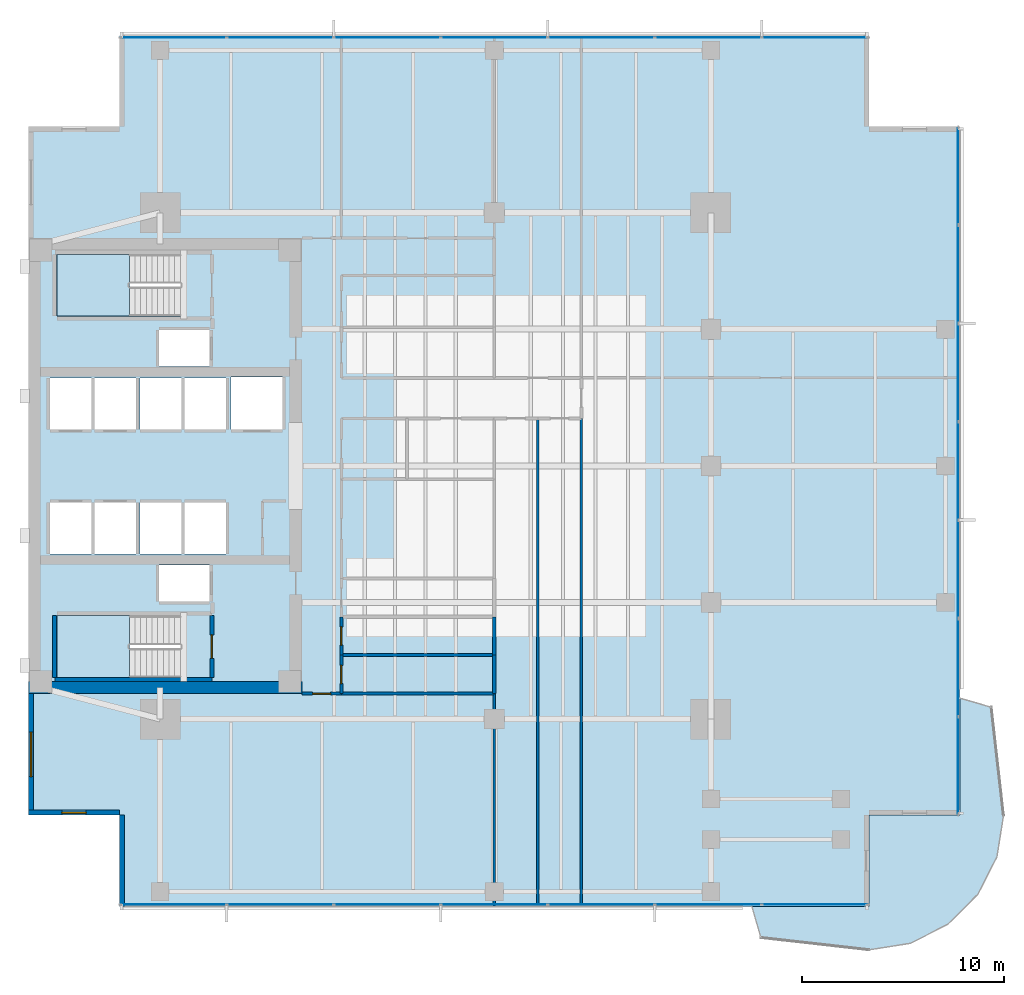
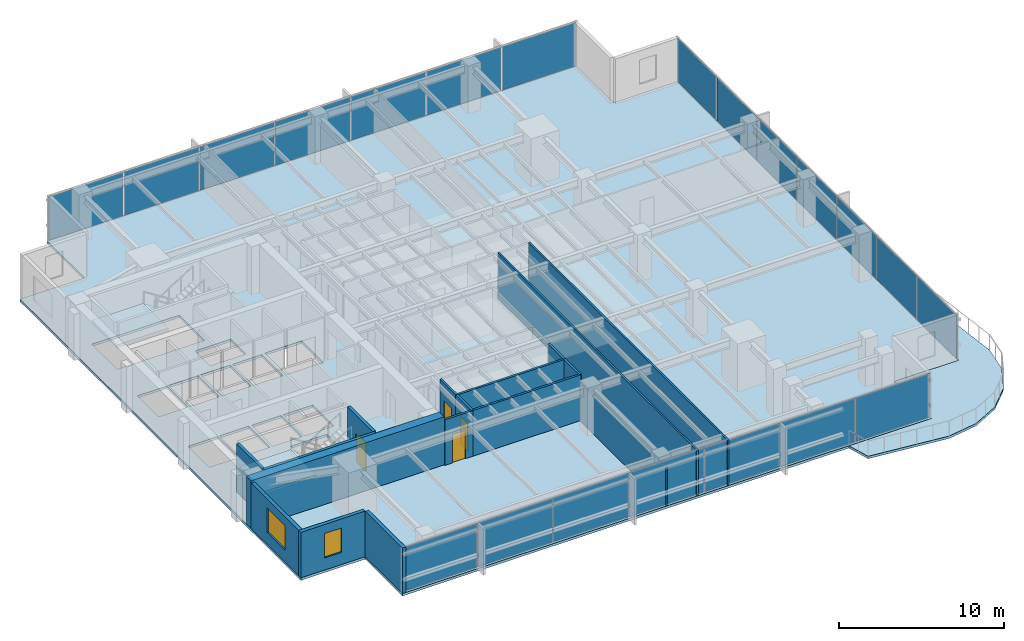
# One storey, part 7 of 14: 21 plates, 17 walls, 4 doors, 4 slabs, 2 windows, 6 openings, 5 elements without a shape of their own.
"""IFC4 building model written with IfcOpenShell, lengths in metres."""

import ifcopenshell
import ifcopenshell.guid

model = None  # the IFC model being written
_history = None  # IfcOwnerHistory: only IFC2X3 demands one
_inside = {}  # id of a spatial element -> (the spatial element, [elements in it])
_under = {}  # id of a project, library or spatial element -> (it, [spatial elements below it])
_declared = {}  # id of a project -> (the project, [libraries it declares])
_typed = {}  # id of a type object -> (the type object, [elements of that type])
_made_of = {}  # id of a material, layer set ... -> (it, [elements and type objects made of it])


def new_model(schema):
    """Start an empty IFC model of exactly this schema.

    Asked for "IFC4X3", IfcOpenShell would pick the latest addendum, in which some entities
    have other attributes; the version numbers below select the first issue.
    IFC2X3 requires an IfcOwnerHistory on every rooted entity: one is made here for all.
    """
    global model, _history
    if schema == "IFC4X3":
        model = ifcopenshell.file(schema_version=(4, 3, 0, 0))
    else:
        model = ifcopenshell.file(schema=schema)
    _inside.clear()
    _under.clear()
    _declared.clear()
    _typed.clear()
    _made_of.clear()
    _history = None
    if model.schema == "IFC2X3":
        org = make("IfcOrganization", Name="unknown")
        user = make(
            "IfcPersonAndOrganization",
            ThePerson=make("IfcPerson", FamilyName="unknown"),
            TheOrganization=org,
        )
        app = make(
            "IfcApplication",
            ApplicationDeveloper=org,
            Version="unknown",
            ApplicationFullName="unknown",
            ApplicationIdentifier="unknown",
        )
        _history = make(
            "IfcOwnerHistory",
            OwningUser=user,
            OwningApplication=app,
            ChangeAction="ADDED",
            CreationDate=0,
        )
    return model


def make(cls, **values):
    """One entity of the class cls with the attributes given. An attribute that is None is left unset."""
    return model.create_entity(
        cls, **{name: value for name, value in values.items() if value is not None}
    )


def rooted(cls, **values):
    """An entity with a GlobalId (a new one), such as an element, a storey or a relation."""
    return make(cls, GlobalId=ifcopenshell.guid.new(), OwnerHistory=_history, **values)


def si_unit(unit_type, name, prefix=None):
    """IfcSIUnit, for example si_unit("LENGTHUNIT", "METRE", prefix="MILLI")."""
    return make("IfcSIUnit", UnitType=unit_type, Prefix=prefix, Name=name)


def assignment(units):
    """IfcUnitAssignment: the units of a project."""
    return None if units is None else make("IfcUnitAssignment", Units=units)


def point(xyz):
    """IfcCartesianPoint."""
    return None if xyz is None else make("IfcCartesianPoint", Coordinates=xyz)


def direction(xyz):
    """IfcDirection."""
    return None if xyz is None else make("IfcDirection", DirectionRatios=xyz)


def frame(location, z_axis=None, x_axis=None):
    """IfcAxis2Placement3D, a coordinate frame: its origin and axes. An axis left out is left unset."""
    return make(
        "IfcAxis2Placement3D",
        Location=point(location),
        Axis=direction(z_axis),
        RefDirection=direction(x_axis),
    )


def frame_2d(location, x_axis=None):
    """IfcAxis2Placement2D, a coordinate frame in the plane: its origin and x axis."""
    return make(
        "IfcAxis2Placement2D", Location=point(location), RefDirection=direction(x_axis)
    )


def origin():
    """The frame at (0, 0, 0) with its axes left unset."""
    return frame((0.0, 0.0, 0.0))


def origin_2d():
    """The frame at (0, 0) in the plane with its x axis left unset."""
    return frame_2d((0.0, 0.0))


def place(relative_to, where):
    """IfcLocalPlacement: puts the frame where relative to a parent placement (None: the world)."""
    return make(
        "IfcLocalPlacement", PlacementRelTo=relative_to, RelativePlacement=where
    )


def context(
    kind, dimensions, precision=None, world=None, true_north=None, identifier=None
):
    """IfcGeometricRepresentationContext, for example the 3D "Model" context."""
    return make(
        "IfcGeometricRepresentationContext",
        ContextIdentifier=identifier,
        ContextType=kind,
        CoordinateSpaceDimension=dimensions,
        Precision=precision,
        WorldCoordinateSystem=world,
        TrueNorth=true_north,
    )


def subcontext(parent, identifier, kind, view, scale=None):
    """IfcGeometricRepresentationSubContext, for example "Body" below "Model"."""
    return make(
        "IfcGeometricRepresentationSubContext",
        ContextIdentifier=identifier,
        ContextType=kind,
        ParentContext=parent,
        TargetScale=scale,
        TargetView=view,
    )


def project(units=None, contexts=None):
    """IfcProject with its units and contexts."""
    return rooted(
        "IfcProject",
        Name="project",
        RepresentationContexts=contexts,
        UnitsInContext=assignment(units),
    )


def spatial(cls, under=None, at=None, **own):
    """A site, building, storey or space (cls), placed at a placement, below another one or the project."""
    s = rooted(cls, ObjectPlacement=at, **own)
    if under is not None:
        _under.setdefault(under.id(), (under, []))[1].append(s)
    return s


def polyline(points):
    """IfcPolyline through the points."""
    return make("IfcPolyline", Points=[point(p) for p in points])


def profile(cls, at=None, kind="AREA", **sizes):
    """A parametric profile (cls). Its sizes go by their IFC names, for example OverallWidth=200.0."""
    return make(cls, ProfileType=kind, Position=at, **sizes)


def rectangle(**sizes):
    """IfcRectangleProfileDef."""
    return profile("IfcRectangleProfileDef", **sizes)


def outline(outer, holes=None, kind="AREA"):
    """IfcArbitraryClosedProfileDef: a profile drawn as a closed curve; with holes, ...WithVoids."""
    if holes is None:
        return make("IfcArbitraryClosedProfileDef", ProfileType=kind, OuterCurve=outer)
    return make(
        "IfcArbitraryProfileDefWithVoids",
        ProfileType=kind,
        OuterCurve=outer,
        InnerCurves=holes,
    )


def extrude(swept, where, along, depth):
    """IfcExtrudedAreaSolid: the profile swept, set in the frame where, extruded along a direction by depth."""
    return make(
        "IfcExtrudedAreaSolid",
        SweptArea=swept,
        Position=where,
        ExtrudedDirection=direction(along),
        Depth=depth,
    )


def shape(context_of_items, identifier, shape_type, items):
    """IfcShapeRepresentation: the items that make up one representation, for example the "Body"."""
    return make(
        "IfcShapeRepresentation",
        ContextOfItems=context_of_items,
        RepresentationIdentifier=identifier,
        RepresentationType=shape_type,
        Items=items,
    )


def material(Name=None, Category=None):
    """IfcMaterial."""
    return make("IfcMaterial", Name=Name, Category=Category)


def layer(
    of_material, thickness, ventilated=None, Name=None, Category=None, Priority=None
):
    """IfcMaterialLayer: one layer of a wall or slab, of a material (None: an air gap)."""
    return make(
        "IfcMaterialLayer",
        Material=of_material,
        LayerThickness=thickness,
        IsVentilated=ventilated,
        Name=Name,
        Category=Category,
        Priority=Priority,
    )


def layer_set(layers, Name=None):
    """IfcMaterialLayerSet."""
    return make("IfcMaterialLayerSet", MaterialLayers=layers, LayerSetName=Name)


def made_of(thing, what):
    """Note that an element or type object is made of a material, layer set ...; save() writes the relation."""
    if what is not None:
        _made_of.setdefault(what.id(), (what, []))[1].append(thing)
    return thing


def type_object(cls, material=None, **own):
    """A type object (cls), such as IfcWallType, which elements share."""
    return made_of(rooted(cls, **own), material)


def element(
    cls,
    number,
    at=None,
    inside=None,
    cuts=None,
    type_object=None,
    material=None,
    context=None,
    identifier="Body",
    shape_type=None,
    held_by="IfcProductDefinitionShape",
    body=None,
    shapes=None,
    **own,
):
    """One element of the class cls, such as IfcWall. Its Tag is "e" and its number.

    at: its placement. inside: the storey or other place that contains it. cuts: it is an
    opening in that element (IfcRelVoidsElement). A single representation is given by context,
    identifier, shape_type and body (its items); several are given by shapes. held_by: the class
    of the entity that holds the representations. save() writes the other relations.
    """
    e = rooted(cls, Tag="e%d" % number, ObjectPlacement=at, **own)
    if body is not None:
        shapes = [shape(context, identifier, shape_type, body)]
    if shapes is not None:
        e.Representation = make(held_by, Representations=shapes)
    if inside is not None:
        _inside.setdefault(inside.id(), (inside, []))[1].append(e)
    if cuts is not None:
        rooted(
            "IfcRelVoidsElement", RelatingBuildingElement=cuts, RelatedOpeningElement=e
        )
    if type_object is not None:
        _typed.setdefault(type_object.id(), (type_object, []))[1].append(e)
    return made_of(e, material)


def fill(opening, filler):
    """IfcRelFillsElement: the door or window that sits in an opening."""
    return rooted(
        "IfcRelFillsElement",
        RelatingOpeningElement=opening,
        RelatedBuildingElement=filler,
    )


def aggregate(whole, parts):
    """IfcRelAggregates: a whole, such as a stair, and the parts it consists of."""
    return rooted("IfcRelAggregates", RelatingObject=whole, RelatedObjects=parts)


def save(model, path):
    """Write the relations noted so far, then the file.

    IfcRelAggregates (storeys below a building ...), IfcRelContainedInSpatialStructure (elements
    in a storey), IfcRelDefinesByType, IfcRelAssociatesMaterial and IfcRelDeclares: one each for
    every whole, place, type object, material and project.
    """
    for whole, parts in _under.values():
        aggregate(whole, parts)
    for where, things in _inside.values():
        rooted(
            "IfcRelContainedInSpatialStructure",
            RelatedElements=things,
            RelatingStructure=where,
        )
    for kind, things in _typed.values():
        rooted("IfcRelDefinesByType", RelatedObjects=things, RelatingType=kind)
    for what, things in _made_of.values():
        rooted("IfcRelAssociatesMaterial", RelatedObjects=things, RelatingMaterial=what)
    for by, libraries in _declared.values():
        rooted("IfcRelDeclares", RelatingContext=by, RelatedDefinitions=libraries)
    model.write(path)


model = new_model("IFC4")

# Units and contexts
model_context = context("Model", 3, precision=1e-05, world=origin(), true_north=direction((0.0, 1.0)))
body_context = subcontext(model_context, "Body", "Model", "MODEL_VIEW")
ifc_project = project(units=[si_unit("LENGTHUNIT", "METRE"), si_unit("AREAUNIT", "SQUARE_METRE"), si_unit("VOLUMEUNIT", "CUBIC_METRE"), si_unit("PLANEANGLEUNIT", "RADIAN"), si_unit("MASSUNIT", "GRAM", prefix="KILO")], contexts=[model_context])

# Site, building, storey
site_placement = place(None, origin())
site = spatial("IfcSite", under=ifc_project, at=site_placement, CompositionType="ELEMENT")
building_placement = place(site_placement, origin())
building = spatial("IfcBuilding", under=site, at=building_placement, Name="Kinhvarn Gate Tower", CompositionType="ELEMENT")
storey_placement = place(building_placement, frame((0.0, 0.0, 162.60009765625)))
storey = spatial("IfcBuildingStorey", under=building, at=storey_placement, Name="L43", CompositionType="ELEMENT", Elevation=162.60009765625)

# Curtain wall, plates
ifc_material_1 = material(Name="Anodised aluminium AW-6063", Category="aluminium")
ifc_layer_1 = layer(ifc_material_1, 0.179931640625)
ifc_layer_set_1 = layer_set([ifc_layer_1], Name="Anodised aluminium AW-6063")
curtain_wall_type = type_object("IfcCurtainWallType", Name="CW-SYS-3", PredefinedType="NOTDEFINED", material=ifc_layer_set_1)
curtain_wall_1_placement = place(storey_placement, origin())
curtain_wall_1 = element("IfcCurtainWall", 1, at=curtain_wall_1_placement, inside=storey, type_object=curtain_wall_type, Name="Curtain Wall CW3 (L43)", PredefinedType="NOTDEFINED")
ifc_material_2 = material(Name="Clear low-e double glazing", Category="glass")
ifc_layer_2 = layer(ifc_material_2, 0.031982421875)
ifc_layer_set_2 = layer_set([ifc_layer_2], Name="Clear low-e double glazing")
plate_type = type_object("IfcPlateType", Name="CW-PNL-VIS", PredefinedType="CURTAIN_PANEL", material=ifc_layer_set_2)
plate_1_placement = place(storey_placement, frame((11.6591796875, 3.590087890625, 0.06982421875), z_axis=(0.0, 0.0, 1.0), x_axis=(1.0, 0.0, 0.0)))
plate_1 = element("IfcPlate", 2, at=plate_1_placement, type_object=plate_type, Name="CW3 panel 1.1", PredefinedType="CURTAIN_PANEL", context=body_context, shape_type="SweptSolid", body=[
    extrude(rectangle(XDim=5.188232421875, YDim=0.031982421875, at=origin_2d()), origin(), (0.0, 0.0, 1.0), 3.22998046875),
])
plate_2_placement = place(storey_placement, frame((16.928466796875, 3.590087890625, 0.06982421875), z_axis=(0.0, 0.0, 1.0), x_axis=(1.0, 0.0, 0.0)))
plate_2 = element("IfcPlate", 3, at=plate_2_placement, type_object=plate_type, Name="CW3 panel 2.1", PredefinedType="CURTAIN_PANEL", context=body_context, shape_type="SweptSolid", body=[
    extrude(rectangle(XDim=5.220703125, YDim=0.031982421875, at=origin_2d()), origin(), (0.0, 0.0, 1.0), 3.22998046875),
])
plate_3_placement = place(storey_placement, frame((22.21435546875, 3.590087890625, 0.06982421875), z_axis=(0.0, 0.0, 1.0), x_axis=(1.0, 0.0, 0.0)))
plate_3 = element("IfcPlate", 4, at=plate_3_placement, type_object=plate_type, Name="CW3 panel 3.1", PredefinedType="CURTAIN_PANEL", context=body_context, shape_type="SweptSolid", body=[
    extrude(rectangle(XDim=5.220703125, YDim=0.031982421875, at=origin_2d()), origin(), (0.0, 0.0, 1.0), 3.22998046875),
])
plate_4_placement = place(storey_placement, frame((27.5, 3.590087890625, 0.06982421875), z_axis=(0.0, 0.0, 1.0), x_axis=(1.0, 0.0, 0.0)))
plate_4 = element("IfcPlate", 5, at=plate_4_placement, type_object=plate_type, Name="CW3 panel 4.1", PredefinedType="CURTAIN_PANEL", context=body_context, shape_type="SweptSolid", body=[
    extrude(rectangle(XDim=5.220703125, YDim=0.031982421875, at=origin_2d()), origin(), (0.0, 0.0, 1.0), 3.22998046875),
])
plate_5_placement = place(storey_placement, frame((32.78564453125, 3.590087890625, 0.06982421875), z_axis=(0.0, 0.0, 1.0), x_axis=(1.0, 0.0, 0.0)))
plate_5 = element("IfcPlate", 6, at=plate_5_placement, type_object=plate_type, Name="CW3 panel 5.1", PredefinedType="CURTAIN_PANEL", context=body_context, shape_type="SweptSolid", body=[
    extrude(rectangle(XDim=5.220703125, YDim=0.031982421875, at=origin_2d()), origin(), (0.0, 0.0, 1.0), 3.22998046875),
])
plate_6_placement = place(storey_placement, frame((38.071533203125, 3.590087890625, 0.06982421875), z_axis=(0.0, 0.0, 1.0), x_axis=(1.0, 0.0, 0.0)))
plate_6 = element("IfcPlate", 7, at=plate_6_placement, type_object=plate_type, Name="CW3 panel 6.1", PredefinedType="CURTAIN_PANEL", context=body_context, shape_type="SweptSolid", body=[
    extrude(rectangle(XDim=5.220703125, YDim=0.031982421875, at=origin_2d()), origin(), (0.0, 0.0, 1.0), 3.22998046875),
])
plate_7_placement = place(storey_placement, frame((43.3408203125, 3.590087890625, 0.06982421875), z_axis=(0.0, 0.0, 1.0), x_axis=(1.0, 0.0, 0.0)))
plate_7 = element("IfcPlate", 8, at=plate_7_placement, type_object=plate_type, Name="CW3 panel 7.1", PredefinedType="CURTAIN_PANEL", context=body_context, shape_type="SweptSolid", body=[
    extrude(rectangle(XDim=5.188232421875, YDim=0.031982421875, at=origin_2d()), origin(), (0.0, 0.0, 1.0), 3.22998046875),
])
aggregate(curtain_wall_1, [plate_1, plate_2, plate_3, plate_4, plate_5, plate_6, plate_7])

curtain_wall_2_placement = place(storey_placement, origin())
curtain_wall_2 = element("IfcCurtainWall", 9, at=curtain_wall_2_placement, inside=storey, type_object=curtain_wall_type, Name="Curtain Wall CW3 (L43)", PredefinedType="NOTDEFINED")
plate_8_placement = place(storey_placement, frame((43.3408203125, 46.409912109375, 0.06982421875), z_axis=(0.0, 0.0, 1.0), x_axis=(-1.0, 0.0, 0.0)))
plate_8 = element("IfcPlate", 10, at=plate_8_placement, type_object=plate_type, Name="CW3 panel 1.1", PredefinedType="CURTAIN_PANEL", context=body_context, shape_type="SweptSolid", body=[
    extrude(rectangle(XDim=5.188232421875, YDim=0.031982421875, at=origin_2d()), origin(), (0.0, 0.0, 1.0), 3.22998046875),
])
plate_9_placement = place(storey_placement, frame((38.071533203125, 46.409912109375, 0.06982421875), z_axis=(0.0, 0.0, 1.0), x_axis=(-1.0, 0.0, 0.0)))
plate_9 = element("IfcPlate", 11, at=plate_9_placement, type_object=plate_type, Name="CW3 panel 2.1", PredefinedType="CURTAIN_PANEL", context=body_context, shape_type="SweptSolid", body=[
    extrude(rectangle(XDim=5.220703125, YDim=0.031982421875, at=origin_2d()), origin(), (0.0, 0.0, 1.0), 3.22998046875),
])
plate_10_placement = place(storey_placement, frame((32.78564453125, 46.409912109375, 0.06982421875), z_axis=(0.0, 0.0, 1.0), x_axis=(-1.0, 0.0, 0.0)))
plate_10 = element("IfcPlate", 12, at=plate_10_placement, type_object=plate_type, Name="CW3 panel 3.1", PredefinedType="CURTAIN_PANEL", context=body_context, shape_type="SweptSolid", body=[
    extrude(rectangle(XDim=5.220703125, YDim=0.031982421875, at=origin_2d()), origin(), (0.0, 0.0, 1.0), 3.22998046875),
])
plate_11_placement = place(storey_placement, frame((27.5, 46.409912109375, 0.06982421875), z_axis=(0.0, 0.0, 1.0), x_axis=(-1.0, 0.0, 0.0)))
plate_11 = element("IfcPlate", 13, at=plate_11_placement, type_object=plate_type, Name="CW3 panel 4.1", PredefinedType="CURTAIN_PANEL", context=body_context, shape_type="SweptSolid", body=[
    extrude(rectangle(XDim=5.220703125, YDim=0.031982421875, at=origin_2d()), origin(), (0.0, 0.0, 1.0), 3.22998046875),
])
plate_12_placement = place(storey_placement, frame((22.21435546875, 46.409912109375, 0.06982421875), z_axis=(0.0, 0.0, 1.0), x_axis=(-1.0, 0.0, 0.0)))
plate_12 = element("IfcPlate", 14, at=plate_12_placement, type_object=plate_type, Name="CW3 panel 5.1", PredefinedType="CURTAIN_PANEL", context=body_context, shape_type="SweptSolid", body=[
    extrude(rectangle(XDim=5.220703125, YDim=0.031982421875, at=origin_2d()), origin(), (0.0, 0.0, 1.0), 3.22998046875),
])
plate_13_placement = place(storey_placement, frame((16.928466796875, 46.409912109375, 0.06982421875), z_axis=(0.0, 0.0, 1.0), x_axis=(-1.0, 0.0, 0.0)))
plate_13 = element("IfcPlate", 15, at=plate_13_placement, type_object=plate_type, Name="CW3 panel 6.1", PredefinedType="CURTAIN_PANEL", context=body_context, shape_type="SweptSolid", body=[
    extrude(rectangle(XDim=5.220703125, YDim=0.031982421875, at=origin_2d()), origin(), (0.0, 0.0, 1.0), 3.22998046875),
])
plate_14_placement = place(storey_placement, frame((11.6591796875, 46.409912109375, 0.06982421875), z_axis=(0.0, 0.0, 1.0), x_axis=(-1.0, 0.0, 0.0)))
plate_14 = element("IfcPlate", 16, at=plate_14_placement, type_object=plate_type, Name="CW3 panel 7.1", PredefinedType="CURTAIN_PANEL", context=body_context, shape_type="SweptSolid", body=[
    extrude(rectangle(XDim=5.188232421875, YDim=0.031982421875, at=origin_2d()), origin(), (0.0, 0.0, 1.0), 3.22998046875),
])
aggregate(curtain_wall_2, [plate_8, plate_9, plate_10, plate_11, plate_12, plate_13, plate_14])

curtain_wall_3_placement = place(storey_placement, origin())
curtain_wall_3 = element("IfcCurtainWall", 17, at=curtain_wall_3_placement, inside=storey, type_object=curtain_wall_type, Name="Curtain Wall CW3 (L43)", PredefinedType="NOTDEFINED")
plate_15_placement = place(storey_placement, frame((50.409912109375, 10.44482421875, 0.06982421875), z_axis=(0.0, 0.0, 1.0), x_axis=(0.0, 1.0, 0.0)))
plate_15 = element("IfcPlate", 18, at=plate_15_placement, type_object=plate_type, Name="CW3 panel 1.1", PredefinedType="CURTAIN_PANEL", context=body_context, shape_type="SweptSolid", body=[
    extrude(rectangle(XDim=4.759521484375, YDim=0.031982421875, at=origin_2d()), origin(), (0.0, 0.0, 1.0), 3.22998046875),
])
plate_16_placement = place(storey_placement, frame((50.409912109375, 15.28564453125, 0.06982421875), z_axis=(0.0, 0.0, 1.0), x_axis=(0.0, 1.0, 0.0)))
plate_16 = element("IfcPlate", 19, at=plate_16_placement, type_object=plate_type, Name="CW3 panel 2.1", PredefinedType="CURTAIN_PANEL", context=body_context, shape_type="SweptSolid", body=[
    extrude(rectangle(XDim=4.792236328125, YDim=0.031982421875, at=origin_2d()), origin(), (0.0, 0.0, 1.0), 3.22998046875),
])
plate_17_placement = place(storey_placement, frame((50.409912109375, 20.142822265625, 0.06982421875), z_axis=(0.0, 0.0, 1.0), x_axis=(0.0, 1.0, 0.0)))
plate_17 = element("IfcPlate", 20, at=plate_17_placement, type_object=plate_type, Name="CW3 panel 3.1", PredefinedType="CURTAIN_PANEL", context=body_context, shape_type="SweptSolid", body=[
    extrude(rectangle(XDim=4.792236328125, YDim=0.031982421875, at=origin_2d()), origin(), (0.0, 0.0, 1.0), 3.22998046875),
])
plate_18_placement = place(storey_placement, frame((50.409912109375, 25.0, 0.06982421875), z_axis=(0.0, 0.0, 1.0), x_axis=(0.0, 1.0, 0.0)))
plate_18 = element("IfcPlate", 21, at=plate_18_placement, type_object=plate_type, Name="CW3 panel 4.1", PredefinedType="CURTAIN_PANEL", context=body_context, shape_type="SweptSolid", body=[
    extrude(rectangle(XDim=4.792236328125, YDim=0.031982421875, at=origin_2d()), origin(), (0.0, 0.0, 1.0), 3.22998046875),
])
plate_19_placement = place(storey_placement, frame((50.409912109375, 29.857177734375, 0.06982421875), z_axis=(0.0, 0.0, 1.0), x_axis=(0.0, 1.0, 0.0)))
plate_19 = element("IfcPlate", 22, at=plate_19_placement, type_object=plate_type, Name="CW3 panel 5.1", PredefinedType="CURTAIN_PANEL", context=body_context, shape_type="SweptSolid", body=[
    extrude(rectangle(XDim=4.792236328125, YDim=0.031982421875, at=origin_2d()), origin(), (0.0, 0.0, 1.0), 3.22998046875),
])
plate_20_placement = place(storey_placement, frame((50.409912109375, 34.71435546875, 0.06982421875), z_axis=(0.0, 0.0, 1.0), x_axis=(0.0, 1.0, 0.0)))
plate_20 = element("IfcPlate", 23, at=plate_20_placement, type_object=plate_type, Name="CW3 panel 6.1", PredefinedType="CURTAIN_PANEL", context=body_context, shape_type="SweptSolid", body=[
    extrude(rectangle(XDim=4.792236328125, YDim=0.031982421875, at=origin_2d()), origin(), (0.0, 0.0, 1.0), 3.22998046875),
])
plate_21_placement = place(storey_placement, frame((50.409912109375, 39.55517578125, 0.06982421875), z_axis=(0.0, 0.0, 1.0), x_axis=(0.0, 1.0, 0.0)))
plate_21 = element("IfcPlate", 24, at=plate_21_placement, type_object=plate_type, Name="CW3 panel 7.1", PredefinedType="CURTAIN_PANEL", context=body_context, shape_type="SweptSolid", body=[
    extrude(rectangle(XDim=4.759521484375, YDim=0.031982421875, at=origin_2d()), origin(), (0.0, 0.0, 1.0), 3.22998046875),
])
aggregate(curtain_wall_3, [plate_15, plate_16, plate_17, plate_18, plate_19, plate_20, plate_21])

# Slabs
ifc_material_3 = material(Name="Precast white architectural concrete C40/50", Category="concrete")
ifc_layer_3 = layer(ifc_material_3, 0.179931640625)
ifc_layer_set_3 = layer_set([ifc_layer_3], Name="Precast white architectural concrete C40/50")
slab_type_1 = type_object("IfcSlabType", Name="SLB-BAL-180", PredefinedType="FLOOR", material=ifc_layer_set_3)
slab_1_placement = place(storey_placement, frame((0.0, 0.0, -0.18017578125)))
element("IfcSlab", 25, at=slab_1_placement, inside=storey, type_object=slab_type_1, Name="S-Carve Curved Terrace Balcony Slab L43 (SE)", PredefinedType="FLOOR", context=body_context, shape_type="SweptSolid", body=[
    extrude(outline(polyline([(40.220947265625, 3.5), (40.6708984375, 1.951904296875), (46.0, 1.35009765625), (48.054931640625, 1.675537109375), (49.90869140625, 2.6201171875), (51.3798828125, 4.09130859375), (52.324462890625, 5.945068359375), (52.64990234375, 8.0), (52.048095703125, 13.3291015625), (50.5, 13.779052734375), (50.5, 8.0), (46.0, 8.0), (46.0, 3.5), (40.220947265625, 3.5)])), origin(), (0.0, 0.0, 1.0), 0.18017578125),
])
ifc_material_4 = material(Name="Concrete C40/50", Category="concrete")
ifc_layer_4 = layer(ifc_material_4, 0.179931640625)
ifc_layer_set_4 = layer_set([ifc_layer_4], Name="Concrete C40/50")
slab_type_2 = type_object("IfcSlabType", Name="SLB-FLR-180", PredefinedType="FLOOR", material=ifc_layer_set_4)
slab_2_placement = place(storey_placement, frame((0.0, 0.0, -0.18017578125)))
element("IfcSlab", 26, at=slab_2_placement, inside=storey, type_object=slab_type_2, Name="Suspended Floor Slab L43", PredefinedType="FLOOR", context=body_context, shape_type="SweptSolid", body=[
    extrude(outline(polyline([(9.0, 3.5), (46.0, 3.5), (46.0, 8.0), (50.5, 8.0), (50.5, 42.0), (46.0, 42.0), (46.0, 46.5), (9.0, 46.5), (9.0, 42.0), (4.5, 42.0), (4.5, 8.0), (9.0, 8.0), (9.0, 3.5)]), holes=[polyline([(5.89990234375, 14.800048828125), (12.0, 14.800048828125), (12.0, 17.85009765625), (5.89990234375, 17.85009765625), (5.89990234375, 14.800048828125)]), polyline([(5.89990234375, 32.64990234375), (12.0, 32.64990234375), (12.0, 35.699951171875), (5.89990234375, 35.699951171875), (5.89990234375, 32.64990234375)]), polyline([(5.550048828125, 20.89990234375), (7.60009765625, 20.89990234375), (7.60009765625, 23.449951171875), (5.550048828125, 23.449951171875), (5.550048828125, 20.89990234375)]), polyline([(7.75, 20.89990234375), (9.800048828125, 20.89990234375), (9.800048828125, 23.449951171875), (7.75, 23.449951171875), (7.75, 20.89990234375)]), polyline([(5.550048828125, 27.050048828125), (7.60009765625, 27.050048828125), (7.60009765625, 29.60009765625), (5.550048828125, 29.60009765625), (5.550048828125, 27.050048828125)]), polyline([(7.75, 27.050048828125), (9.800048828125, 27.050048828125), (9.800048828125, 29.60009765625), (7.75, 29.60009765625), (7.75, 27.050048828125)]), polyline([(10.0, 20.89990234375), (12.050048828125, 20.89990234375), (12.050048828125, 23.449951171875), (10.0, 23.449951171875), (10.0, 20.89990234375)]), polyline([(12.199951171875, 20.89990234375), (14.25, 20.89990234375), (14.25, 23.449951171875), (12.199951171875, 23.449951171875), (12.199951171875, 20.89990234375)]), polyline([(10.0, 27.050048828125), (12.050048828125, 27.050048828125), (12.050048828125, 29.60009765625), (10.0, 29.60009765625), (10.0, 27.050048828125)]), polyline([(12.199951171875, 27.050048828125), (14.25, 27.050048828125), (14.25, 29.60009765625), (12.199951171875, 29.60009765625), (12.199951171875, 27.050048828125)]), polyline([(14.5, 27.050048828125), (17.050048828125, 27.050048828125), (17.050048828125, 29.64990234375), (14.5, 29.64990234375), (14.5, 27.050048828125)]), polyline([(10.949951171875, 18.550048828125), (13.449951171875, 18.550048828125), (13.449951171875, 20.35009765625), (10.949951171875, 20.35009765625), (10.949951171875, 18.550048828125)]), polyline([(10.949951171875, 30.14990234375), (13.449951171875, 30.14990234375), (13.449951171875, 31.949951171875), (10.949951171875, 31.949951171875), (10.949951171875, 30.14990234375)])]), origin(), (0.0, 0.0, 1.0), 0.18017578125),
])

# Stair, slab
stair_type = type_object("IfcStairType", Name="STR-DLG-178", PredefinedType="HALF_TURN_STAIR", material=ifc_material_4)
stair_1_placement = place(storey_placement, origin())
stair_1 = element("IfcStair", 27, at=stair_1_placement, inside=storey, type_object=stair_type, Name="L43 Core Smokeproof Exit Stair ST1", PredefinedType="HALF_TURN_STAIR")
ifc_layer_5 = layer(ifc_material_4, 0.199951171875)
ifc_layer_set_5 = layer_set([ifc_layer_5], Name="Concrete C40/50")
slab_type_3 = type_object("IfcSlabType", Name="SLB-ST-LND", PredefinedType="LANDING", material=ifc_layer_set_5)
slab_3_placement = place(storey_placement, frame((0.0, 0.0, 1.574951171875)))
slab_3 = element("IfcSlab", 28, at=slab_3_placement, type_object=slab_type_3, Name="ST1 landing 1", PredefinedType="LANDING", context=body_context, shape_type="SweptSolid", body=[
    extrude(outline(polyline([(9.47998046875, 17.85009765625), (5.89990234375, 17.85009765625), (5.89990234375, 14.800048828125), (9.47998046875, 14.800048828125), (9.47998046875, 17.85009765625)])), origin(), (0.0, 0.0, 1.0), 0.199951171875),
])
aggregate(stair_1, [slab_3])

stair_2_placement = place(storey_placement, origin())
stair_2 = element("IfcStair", 29, at=stair_2_placement, inside=storey, type_object=stair_type, Name="L43 Core Smokeproof Exit Stair ST2", PredefinedType="HALF_TURN_STAIR")
slab_4_placement = place(storey_placement, frame((0.0, 0.0, 1.574951171875)))
slab_4 = element("IfcSlab", 30, at=slab_4_placement, type_object=slab_type_3, Name="ST2 landing 1", PredefinedType="LANDING", context=body_context, shape_type="SweptSolid", body=[
    extrude(outline(polyline([(9.47998046875, 35.699951171875), (5.89990234375, 35.699951171875), (5.89990234375, 32.64990234375), (9.47998046875, 32.64990234375), (9.47998046875, 35.699951171875)])), origin(), (0.0, 0.0, 1.0), 0.199951171875),
])
aggregate(stair_2, [slab_4])

# Wall
ifc_material_5 = material(Name="Concrete C60/75", Category="concrete")
ifc_layer_6 = layer(ifc_material_5, 0.60009765625)
ifc_layer_set_6 = layer_set([ifc_layer_6], Name="Concrete C60/75")
wall_type_1 = type_object("IfcWallType", Name="WL-CORE-600", PredefinedType="SHEAR", material=ifc_layer_set_6)
wall_1_placement = place(storey_placement, frame((4.5, 14.300048828125, 0.0), z_axis=(0.0, 0.0, 1.0), x_axis=(1.0, 0.0, 0.0)))
element("IfcWall", 31, at=wall_1_placement, inside=storey, type_object=wall_type_1, Name="Core South Shear Wall L43 600 mm", PredefinedType="SHEAR", context=body_context, shape_type="SweptSolid", body=[
    extrude(rectangle(XDim=13.5, YDim=0.60009765625, at=frame_2d((6.75, 0.0))), origin(), (0.0, 0.0, 1.0), 3.5498046875),
])

# Wall, opening, window
ifc_material_6 = material(Name="Fired architectural terracotta", Category="masonry")
ifc_layer_7 = layer(ifc_material_6, 0.25)
ifc_layer_set_7 = layer_set([ifc_layer_7], Name="Fired architectural terracotta")
wall_type_2 = type_object("IfcWallType", Name="WL-EXT-250", PredefinedType="SOLIDWALL", material=ifc_layer_set_7)
wall_2_placement = place(storey_placement, frame((4.625, 14.0, 0.0), z_axis=(0.0, 0.0, 1.0), x_axis=(0.0, -1.0, 0.0)))
wall_2 = element("IfcWall", 32, at=wall_2_placement, inside=storey, type_object=wall_type_2, Name="Exterior Solidwall Wall EW-250 (L43 West-South)", PredefinedType="SOLIDWALL", context=body_context, shape_type="SweptSolid", body=[
    extrude(rectangle(XDim=6.0, YDim=0.25, at=frame_2d((3.0, 0.0))), origin(), (0.0, 0.0, 1.0), 3.369873046875),
])
opening_1_placement = place(wall_2_placement, frame((1.89990234375, 0.0, 0.89990234375)))
opening_1 = element("IfcOpeningElement", 33, at=opening_1_placement, cuts=wall_2, Name="Opening WN-01", PredefinedType="OPENING", context=body_context, shape_type="SweptSolid", body=[
    extrude(rectangle(XDim=2.199951171875, YDim=1.800048828125, at=frame_2d((1.10009765625, 0.89990234375))), frame((0.0, 0.135009765625, 0.0), z_axis=(0.0, -1.0, 0.0), x_axis=(1.0, 0.0, 0.0)), (0.0, 0.0, 1.0), 0.27001953125),
])
window_type_1 = type_object("IfcWindowType", Name="WIN-RIB-2200", PartitioningType="SINGLE_PANEL", PredefinedType="WINDOW", material=ifc_material_2)
window_1_placement = place(opening_1_placement, origin())
window_1 = element("IfcWindow", 34, at=window_1_placement, inside=storey, type_object=window_type_1, Name="West Flank Double-Glazed Ribbon Window 2200x1800 mm (L43)", OverallHeight=1.800048828125, OverallWidth=2.199951171875, PartitioningType="SINGLE_PANEL", PredefinedType="WINDOW", context=body_context, shape_type="SweptSolid", body=[
    extrude(rectangle(XDim=2.199951171875, YDim=1.800048828125, at=frame_2d((1.10009765625, 0.89990234375))), frame((0.0, 0.030029296875, 0.0), z_axis=(0.0, -1.0, 0.0), x_axis=(1.0, 0.0, 0.0)), (0.0, 0.0, 1.0), 0.06005859375),
])
fill(opening_1, window_1)

wall_3_placement = place(storey_placement, frame((4.5, 8.125, 0.0), z_axis=(0.0, 0.0, 1.0), x_axis=(1.0, 0.0, 0.0)))
wall_3 = element("IfcWall", 35, at=wall_3_placement, inside=storey, type_object=wall_type_2, Name="Exterior Solidwall Wall EW-250 (L43 SW-Notch-1)", PredefinedType="SOLIDWALL", context=body_context, shape_type="SweptSolid", body=[
    extrude(rectangle(XDim=4.5, YDim=0.25, at=frame_2d((2.25, 0.0))), origin(), (0.0, 0.0, 1.0), 3.369873046875),
])
opening_2_placement = place(wall_3_placement, frame((1.64990234375, 0.0, 0.89990234375)))
opening_2 = element("IfcOpeningElement", 36, at=opening_2_placement, cuts=wall_3, Name="Opening WN-02", PredefinedType="OPENING", context=body_context, shape_type="SweptSolid", body=[
    extrude(rectangle(XDim=1.199951171875, YDim=1.800048828125, at=frame_2d((0.60009765625, 0.89990234375))), frame((0.0, 0.135009765625, 0.0), z_axis=(0.0, -1.0, 0.0), x_axis=(1.0, 0.0, 0.0)), (0.0, 0.0, 1.0), 0.27001953125),
])
window_type_2 = type_object("IfcWindowType", Name="WIN-NTC-1200", PartitioningType="SINGLE_PANEL", PredefinedType="WINDOW", material=ifc_material_2)
window_2_placement = place(opening_2_placement, origin())
window_2 = element("IfcWindow", 37, at=window_2_placement, inside=storey, type_object=window_type_2, Name="Recessed Corner Notch Punched Window 1200x1800 mm (L43)", OverallHeight=1.800048828125, OverallWidth=1.199951171875, PartitioningType="SINGLE_PANEL", PredefinedType="WINDOW", context=body_context, shape_type="SweptSolid", body=[
    extrude(rectangle(XDim=1.199951171875, YDim=1.800048828125, at=frame_2d((0.60009765625, 0.89990234375))), frame((0.0, 0.030029296875, 0.0), z_axis=(0.0, -1.0, 0.0), x_axis=(1.0, 0.0, 0.0)), (0.0, 0.0, 1.0), 0.06005859375),
])
fill(opening_2, window_2)

# Walls
wall_4_placement = place(storey_placement, frame((9.125, 8.0, 0.0), z_axis=(0.0, 0.0, 1.0), x_axis=(0.0, -1.0, 0.0)))
element("IfcWall", 38, at=wall_4_placement, inside=storey, type_object=wall_type_2, Name="Exterior Solidwall Wall EW-250 (L43 SW-Notch-2)", PredefinedType="SOLIDWALL", context=body_context, shape_type="SweptSolid", body=[
    extrude(rectangle(XDim=4.5, YDim=0.25, at=frame_2d((2.25, 0.0))), origin(), (0.0, 0.0, 1.0), 3.369873046875),
])
ifc_material_7 = material(Name="Gypsum acoustic partition board")
ifc_layer_8 = layer(ifc_material_7, 0.14990234375)
ifc_layer_set_8 = layer_set([ifc_layer_8], Name="Gypsum acoustic partition board")
wall_type_3 = type_object("IfcWallType", Name="WL-PLM-150", PredefinedType="PLUMBINGWALL", material=ifc_layer_set_8)
for number, where, z_axis, x_axis, name in (
    (39, (19.949951171875, 15.89990234375, 0.0), (0.0, 0.0, 1.0), (1.0, 0.0, 0.0), "Interior Partition PLW-150 (L43)"),
    (40, (19.949951171875, 14.0, 0.0), (0.0, 0.0, 1.0), (1.0, 0.0, 0.0), "Interior Partition PLW-150 (L43)"),
):
    element("IfcWall", number, at=place(storey_placement, frame(where, z_axis=z_axis, x_axis=x_axis)), inside=storey, type_object=wall_type_3, Name=name, PredefinedType="PLUMBINGWALL", context=body_context, shape_type="SweptSolid", body=[
        extrude(rectangle(XDim=7.550048828125, YDim=0.14990234375, at=frame_2d((3.77490234375, 0.0))), origin(), (0.0, 0.0, 1.0), 3.369873046875),
    ])
wall_5_placement = place(storey_placement, frame((27.5, 14.0, 0.0), z_axis=(0.0, 0.0, 1.0), x_axis=(0.0, 1.0, 0.0)))
element("IfcWall", 41, at=wall_5_placement, inside=storey, type_object=wall_type_3, Name="Interior Partition PLW-150 (L43)", PredefinedType="PLUMBINGWALL", context=body_context, shape_type="SweptSolid", body=[
    extrude(rectangle(XDim=1.89990234375, YDim=0.14990234375, at=frame_2d((0.949951171875, 0.0))), origin(), (0.0, 0.0, 1.0), 3.369873046875),
])
wall_6_placement = place(storey_placement, frame((27.5, 15.89990234375, 0.0), z_axis=(0.0, 0.0, 1.0), x_axis=(0.0, 1.0, 0.0)))
element("IfcWall", 42, at=wall_6_placement, inside=storey, type_object=wall_type_3, Name="Interior Partition PLW-150 (L43)", PredefinedType="PLUMBINGWALL", context=body_context, shape_type="SweptSolid", body=[
    extrude(rectangle(XDim=1.900146484375, YDim=0.14990234375, at=frame_2d((0.9501953125, 0.0))), origin(), (0.0, 0.0, 1.0), 3.369873046875),
])

# Wall, opening, door
ifc_layer_9 = layer(ifc_material_7, 0.14990234375)
ifc_layer_set_9 = layer_set([ifc_layer_9], Name="Gypsum acoustic partition board")
wall_type_4 = type_object("IfcWallType", Name="WL-PLM-150F", PredefinedType="PLUMBINGWALL", material=ifc_layer_set_9)
wall_7_placement = place(storey_placement, frame((19.949951171875, 14.0, 0.0), z_axis=(0.0, 0.0, 1.0), x_axis=(0.0, 1.0, 0.0)))
wall_7 = element("IfcWall", 43, at=wall_7_placement, inside=storey, type_object=wall_type_4, Name="Interior Partition PLW-150F (L43)", PredefinedType="PLUMBINGWALL", context=body_context, shape_type="SweptSolid", body=[
    extrude(rectangle(XDim=1.89990234375, YDim=0.14990234375, at=frame_2d((0.949951171875, 0.0))), origin(), (0.0, 0.0, 1.0), 3.369873046875),
])
opening_3_placement = place(wall_7_placement, frame((0.5, 0.0, 0.0)))
opening_3 = element("IfcOpeningElement", 44, at=opening_3_placement, cuts=wall_7, Name="Opening FD-04", PredefinedType="OPENING", context=body_context, shape_type="SweptSolid", body=[
    extrude(rectangle(XDim=0.89990234375, YDim=2.10009765625, at=frame_2d((0.449951171875, 1.050048828125))), frame((0.0, 0.0849609375, 0.0), z_axis=(0.0, -1.0, 0.0), x_axis=(1.0, 0.0, 0.0)), (0.0, 0.0, 1.0), 0.169921875),
])
door_type_1 = type_object("IfcDoorType", Name="DR-FD-900", OperationType="NOTDEFINED", PredefinedType="DOOR", material=ifc_material_1)
door_1_placement = place(opening_3_placement, origin())
door_1 = element("IfcDoor", 45, at=door_1_placement, inside=storey, type_object=door_type_1, Name="Rated Riser & Service Closet Fire Door 900x2100 mm (L43)", OperationType="SINGLE_SWING_RIGHT", OverallHeight=2.10009765625, OverallWidth=0.89990234375, PredefinedType="DOOR", context=body_context, shape_type="SweptSolid", body=[
    extrude(rectangle(XDim=0.89990234375, YDim=2.10009765625, at=frame_2d((0.449951171875, 1.050048828125))), frame((0.0, 0.02490234375, 0.0), z_axis=(0.0, -1.0, 0.0), x_axis=(1.0, 0.0, 0.0)), (0.0, 0.0, 1.0), 0.050048828125),
])
fill(opening_3, door_1)

wall_8_placement = place(storey_placement, frame((19.949951171875, 15.89990234375, 0.0), z_axis=(0.0, 0.0, 1.0), x_axis=(0.0, 1.0, 0.0)))
wall_8 = element("IfcWall", 46, at=wall_8_placement, inside=storey, type_object=wall_type_4, Name="Interior Partition PLW-150F (L43)", PredefinedType="PLUMBINGWALL", context=body_context, shape_type="SweptSolid", body=[
    extrude(rectangle(XDim=1.900146484375, YDim=0.14990234375, at=frame_2d((0.9501953125, 0.0))), origin(), (0.0, 0.0, 1.0), 3.369873046875),
])
opening_4_placement = place(wall_8_placement, frame((0.5, 0.0, 0.0)))
opening_4 = element("IfcOpeningElement", 47, at=opening_4_placement, cuts=wall_8, Name="Opening FD-04", PredefinedType="OPENING", context=body_context, shape_type="SweptSolid", body=[
    extrude(rectangle(XDim=0.89990234375, YDim=2.10009765625, at=frame_2d((0.449951171875, 1.050048828125))), frame((0.0, 0.0849609375, 0.0), z_axis=(0.0, -1.0, 0.0), x_axis=(1.0, 0.0, 0.0)), (0.0, 0.0, 1.0), 0.169921875),
])
door_2_placement = place(opening_4_placement, origin())
door_2 = element("IfcDoor", 48, at=door_2_placement, inside=storey, type_object=door_type_1, Name="Rated Riser & Service Closet Fire Door 900x2100 mm (L43)", OperationType="SINGLE_SWING_LEFT", OverallHeight=2.10009765625, OverallWidth=0.89990234375, PredefinedType="DOOR", context=body_context, shape_type="SweptSolid", body=[
    extrude(rectangle(XDim=0.89990234375, YDim=2.10009765625, at=frame_2d((0.449951171875, 1.050048828125))), frame((0.0, 0.02490234375, 0.0), z_axis=(0.0, -1.0, 0.0), x_axis=(1.0, 0.0, 0.0)), (0.0, 0.0, 1.0), 0.050048828125),
])
fill(opening_4, door_2)

# Walls
ifc_layer_10 = layer(ifc_material_7, 0.1201171875)
ifc_layer_set_10 = layer_set([ifc_layer_10], Name="Gypsum acoustic partition board")
wall_type_5 = type_object("IfcWallType", Name="WL-PRT-120", PredefinedType="PARTITIONING", material=ifc_layer_set_10)
wall_9_placement = place(storey_placement, frame((27.5, 3.510009765625, 0.0), z_axis=(0.0, 0.0, 1.0), x_axis=(0.0, 1.0, 0.0)))
element("IfcWall", 49, at=wall_9_placement, inside=storey, type_object=wall_type_5, Name="Interior Partition PW-120 (L43)", PredefinedType="PARTITIONING", context=body_context, shape_type="SweptSolid", body=[
    extrude(rectangle(XDim=10.489990234375, YDim=0.1201171875, at=frame_2d((5.2451171875, 0.0))), origin(), (0.0, 0.0, 1.0), 2.869873046875),
])
for number, where, z_axis, x_axis, name in (
    (50, (29.64990234375, 3.510009765625, 0.0), (0.0, 0.0, 1.0), (0.0, 1.0, 0.0), "Interior Partition PW-120 (L43)"),
    (51, (31.800048828125, 3.510009765625, 0.0), (0.0, 0.0, 1.0), (0.0, 1.0, 0.0), "Interior Partition PW-120 (L43)"),
):
    element("IfcWall", number, at=place(storey_placement, frame(where, z_axis=z_axis, x_axis=x_axis)), inside=storey, type_object=wall_type_5, Name=name, PredefinedType="PARTITIONING", context=body_context, shape_type="SweptSolid", body=[
        extrude(rectangle(XDim=24.090087890625, YDim=0.1201171875, at=frame_2d((12.044921875, 0.0))), origin(), (0.0, 0.0, 1.0), 3.369873046875),
    ])

# Wall, opening, door
ifc_layer_11 = layer(ifc_material_7, 0.14990234375)
ifc_layer_set_11 = layer_set([ifc_layer_11], Name="Gypsum acoustic partition board")
wall_type_6 = type_object("IfcWallType", Name="WL-PRT-150F", PredefinedType="PARTITIONING", material=ifc_layer_set_11)
wall_10_placement = place(storey_placement, frame((18.0, 14.0, 0.0), z_axis=(0.0, 0.0, 1.0), x_axis=(1.0, 0.0, 0.0)))
wall_10 = element("IfcWall", 52, at=wall_10_placement, inside=storey, type_object=wall_type_6, Name="Interior Partition PW-150F (L43)", PredefinedType="PARTITIONING", context=body_context, shape_type="SweptSolid", body=[
    extrude(rectangle(XDim=1.949951171875, YDim=0.14990234375, at=frame_2d((0.97509765625, 0.0))), origin(), (0.0, 0.0, 1.0), 3.369873046875),
])
opening_5_placement = place(wall_10_placement, frame((0.52490234375, 0.0, 0.0)))
opening_5 = element("IfcOpeningElement", 53, at=opening_5_placement, cuts=wall_10, Name="Opening ID-03", PredefinedType="OPENING", context=body_context, shape_type="SweptSolid", body=[
    extrude(rectangle(XDim=0.89990234375, YDim=2.10009765625, at=frame_2d((0.449951171875, 1.050048828125))), frame((0.0, 0.0849609375, 0.0), z_axis=(0.0, -1.0, 0.0), x_axis=(1.0, 0.0, 0.0)), (0.0, 0.0, 1.0), 0.169921875),
])
door_type_2 = type_object("IfcDoorType", Name="DR-INT-900", OperationType="NOTDEFINED", PredefinedType="DOOR", material=ifc_material_1)
door_3_placement = place(opening_5_placement, origin())
door_3 = element("IfcDoor", 54, at=door_3_placement, inside=storey, type_object=door_type_2, Name="Cellular Office & Restroom Door 900x2100 mm (L43)", OperationType="SINGLE_SWING_LEFT", OverallHeight=2.10009765625, OverallWidth=0.89990234375, PredefinedType="DOOR", context=body_context, shape_type="SweptSolid", body=[
    extrude(rectangle(XDim=0.89990234375, YDim=2.10009765625, at=frame_2d((0.449951171875, 1.050048828125))), frame((0.0, 0.02490234375, 0.0), z_axis=(0.0, -1.0, 0.0), x_axis=(1.0, 0.0, 0.0)), (0.0, 0.0, 1.0), 0.050048828125),
])
fill(opening_5, door_3)

# Walls
ifc_layer_12 = layer(ifc_material_4, 0.199951171875)
ifc_layer_set_12 = layer_set([ifc_layer_12], Name="Concrete C40/50")
wall_type_7 = type_object("IfcWallType", Name="WL-SHF-200", PredefinedType="SOLIDWALL", material=ifc_layer_set_12)
wall_11_placement = place(storey_placement, frame((5.800048828125, 14.699951171875, 0.0), z_axis=(0.0, 0.0, 1.0), x_axis=(1.0, 0.0, 0.0)))
element("IfcWall", 55, at=wall_11_placement, inside=storey, type_object=wall_type_7, Name="Stair ST1 South Shaft Wall (L43)", PredefinedType="SOLIDWALL", context=body_context, shape_type="SweptSolid", body=[
    extrude(rectangle(XDim=7.75, YDim=0.199951171875, at=frame_2d((3.875, 0.0))), origin(), (0.0, 0.0, 1.0), 3.5498046875),
])
wall_12_placement = place(storey_placement, frame((5.7900390625, 14.800048828125, 0.0), z_axis=(0.0, 0.0, 1.0), x_axis=(0.0, 1.0, 0.0)))
element("IfcWall", 56, at=wall_12_placement, inside=storey, type_object=wall_type_7, Name="Stair ST1 West Shaft Wall (L43)", PredefinedType="SOLIDWALL", context=body_context, shape_type="SweptSolid", body=[
    extrude(rectangle(XDim=3.050048828125, YDim=0.199951171875, at=frame_2d((1.52490234375, 0.0))), origin(), (0.0, 0.0, 1.0), 3.5498046875),
])

# Wall, opening, door
wall_13_placement = place(storey_placement, frame((13.56005859375, 14.800048828125, 0.0), z_axis=(0.0, 0.0, 1.0), x_axis=(0.0, 1.0, 0.0)))
wall_13 = element("IfcWall", 57, at=wall_13_placement, inside=storey, type_object=wall_type_7, Name="Stair ST1 East Entry Wall (L43)", PredefinedType="SOLIDWALL", context=body_context, shape_type="SweptSolid", body=[
    extrude(rectangle(XDim=3.050048828125, YDim=0.199951171875, at=frame_2d((1.52490234375, 0.0))), origin(), (0.0, 0.0, 1.0), 3.5498046875),
])
opening_6_placement = place(wall_13_placement, frame((0.949951171875, 0.0, 0.0)))
opening_6 = element("IfcOpeningElement", 58, at=opening_6_placement, cuts=wall_13, Name="Opening FD-01", PredefinedType="OPENING", context=body_context, shape_type="SweptSolid", body=[
    extrude(rectangle(XDim=1.14990234375, YDim=2.14990234375, at=frame_2d((0.574951171875, 1.074951171875))), frame((0.0, 0.10986328125, 0.0), z_axis=(0.0, -1.0, 0.0), x_axis=(1.0, 0.0, 0.0)), (0.0, 0.0, 1.0), 0.219970703125),
])
door_type_3 = type_object("IfcDoorType", Name="DR-ST-1150", OperationType="NOTDEFINED", PredefinedType="DOOR", material=ifc_material_1)
door_4_placement = place(opening_6_placement, origin())
door_4 = element("IfcDoor", 59, at=door_4_placement, inside=storey, type_object=door_type_3, Name="Exit Stair ST1 Fire Door (L43)", OperationType="SINGLE_SWING_LEFT", OverallHeight=2.14990234375, OverallWidth=1.14990234375, PredefinedType="DOOR", context=body_context, shape_type="SweptSolid", body=[
    extrude(rectangle(XDim=1.14990234375, YDim=2.14990234375, at=frame_2d((0.574951171875, 1.074951171875))), frame((0.0, 0.02490234375, 0.0), z_axis=(0.0, -1.0, 0.0), x_axis=(1.0, 0.0, 0.0)), (0.0, 0.0, 1.0), 0.050048828125),
])
fill(opening_6, door_4)

save(model, "model.ifc")
